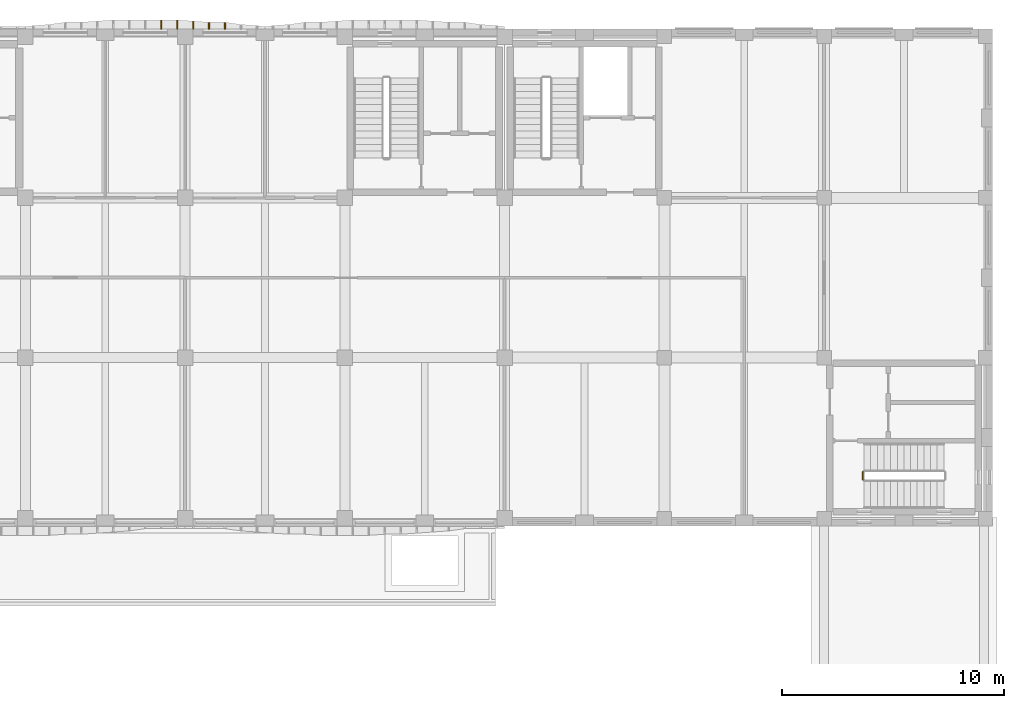
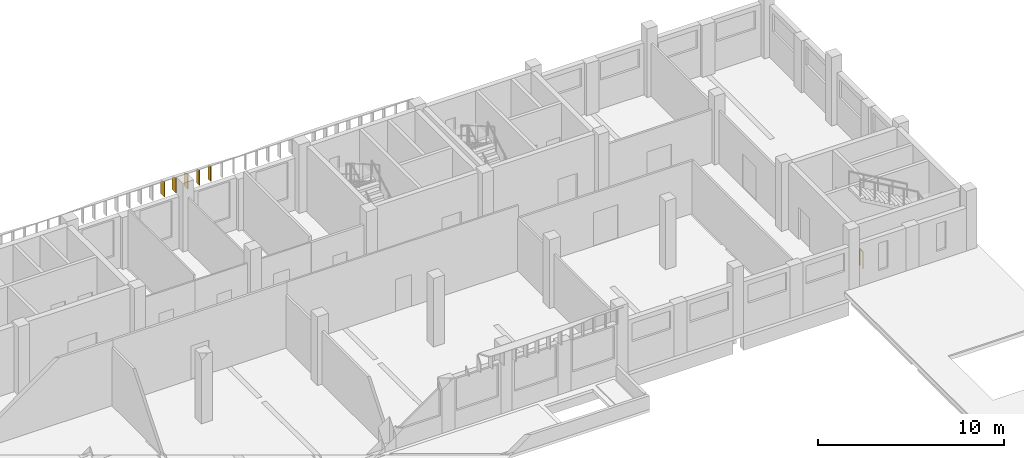
# One storey, part 54 of 59: 5 shading devices, 1 railing.
"""IFC4 building model written with IfcOpenShell, lengths in metres."""

from ifc_helpers import new_model, si_unit, direction, frame, origin, origin_2d, place, context, subcontext, project, spatial, polyline, circle, outline, extrude, material, layer, layer_set, type_object, element, save


model = new_model("IFC4")

# Units and contexts
model_context = context("Model", 3, precision=1e-05, world=origin(), true_north=direction((0.0, 1.0)))
body_context = subcontext(model_context, "Body", "Model", "MODEL_VIEW")
ifc_project = project(units=[si_unit("LENGTHUNIT", "METRE"), si_unit("AREAUNIT", "SQUARE_METRE"), si_unit("VOLUMEUNIT", "CUBIC_METRE"), si_unit("PLANEANGLEUNIT", "RADIAN"), si_unit("MASSUNIT", "GRAM", prefix="KILO")], contexts=[model_context])

# Site, building, storey
site_placement = place(None, origin())
site = spatial("IfcSite", under=ifc_project, at=site_placement, CompositionType="ELEMENT")
building_placement = place(site_placement, origin())
building = spatial("IfcBuilding", under=site, at=building_placement, Name="Ussher Court Research Institute", CompositionType="ELEMENT")
storey_placement = place(building_placement, frame((0.0, 0.0, 5.39990234375)))
storey = spatial("IfcBuildingStorey", under=building, at=storey_placement, Name="L01", CompositionType="ELEMENT", Elevation=5.39990234375)

# Shading devices
ifc_material_1 = material(Name="Bronze anodised aluminium", Category="aluminium")
ifc_layer_1 = layer(ifc_material_1, 0.050048828125)
ifc_layer_set_1 = layer_set([ifc_layer_1], Name="Bronze anodised aluminium")
shading_device_type_1 = type_object("IfcShadingDeviceType", Name="Brim blade 300 mm deep 1000 mm high canted 20 deg dry", PredefinedType="USERDEFINED", material=ifc_layer_set_1)
for number, where, z_axis, x_axis, name in (
    (1, (68.8798828125, 90.800048828125, 3.4501953125), (0.0, 0.0, 1.0), (0.0, 1.0, 0.0), "Brim blade BS13 L01"),
    (2, (69.60009765625, 90.800048828125, 3.4501953125), (0.0, 0.0, 1.0), (0.0, 1.0, 0.0), "Brim blade BS13 L01"),
):
    element("IfcShadingDevice", number, at=place(storey_placement, frame(where, z_axis=z_axis, x_axis=x_axis)), inside=storey, type_object=shading_device_type_1, Name=name, ObjectType="BLADE", PredefinedType="USERDEFINED", context=body_context, shape_type="SweptSolid", body=[
        extrude(outline(polyline([(0.0, 0.0), (0.300048828125, 0.0), (0.300048828125, 0.890625), (0.0, 1.0), (0.0, 0.0)])), frame((0.0, 0.02490234375, 0.0), z_axis=(0.0, -1.0, 0.0), x_axis=(1.0, 0.0, 0.0)), (0.0, 0.0, 1.0), 0.050048828125),
    ])
ifc_material_2 = material(Name="Bronze anodised aluminium", Category="aluminium")
ifc_layer_2 = layer(ifc_material_2, 0.050048828125)
ifc_layer_set_2 = layer_set([ifc_layer_2], Name="Bronze anodised aluminium")
shading_device_type_2 = type_object("IfcShadingDeviceType", Name="Brim blade 350 mm deep 1000 mm high canted 20 deg dry", PredefinedType="USERDEFINED", material=ifc_layer_set_2)
shading_device_placement = place(storey_placement, frame((68.159912109375, 90.800048828125, 3.4501953125), z_axis=(0.0, 0.0, 1.0), x_axis=(0.0, 1.0, 0.0)))
element("IfcShadingDevice", 3, at=shading_device_placement, inside=storey, type_object=shading_device_type_2, Name="Brim blade BS12 L01", ObjectType="BLADE", PredefinedType="USERDEFINED", context=body_context, shape_type="SweptSolid", body=[
    extrude(outline(polyline([(0.0, 0.0), (0.349853515625, 0.0), (0.35009765625, 0.87255859375), (0.0, 1.0), (0.0, 0.0)])), frame((0.0, 0.02490234375, 0.0), z_axis=(0.0, -1.0, 0.0), x_axis=(1.0, 0.0, 0.0)), (0.0, 0.0, 1.0), 0.050048828125),
])
ifc_material_3 = material(Name="Bronze anodised aluminium", Category="aluminium")
ifc_layer_3 = layer(ifc_material_3, 0.050048828125)
ifc_layer_set_3 = layer_set([ifc_layer_3], Name="Bronze anodised aluminium")
shading_device_type_3 = type_object("IfcShadingDeviceType", Name="Brim blade 400 mm deep 1000 mm high canted 20 deg dry", PredefinedType="USERDEFINED", material=ifc_layer_set_3)
for number, where, z_axis, x_axis, name in (
    (4, (66.719970703125, 90.800048828125, 3.4501953125), (0.0, 0.0, 1.0), (0.0, 1.0, 0.0), "Brim blade BS11 L01"),
    (5, (67.43994140625, 90.800048828125, 3.4501953125), (0.0, 0.0, 1.0), (0.0, 1.0, 0.0), "Brim blade BS11 L01"),
):
    element("IfcShadingDevice", number, at=place(storey_placement, frame(where, z_axis=z_axis, x_axis=x_axis)), inside=storey, type_object=shading_device_type_3, Name=name, ObjectType="BLADE", PredefinedType="USERDEFINED", context=body_context, shape_type="SweptSolid", body=[
        extrude(outline(polyline([(0.0, 0.0), (0.39990234375, 0.0), (0.39990234375, 0.854248046875), (0.0, 1.0), (0.0, 0.0)])), frame((0.0, 0.02490234375, 0.0), z_axis=(0.0, -1.0, 0.0), x_axis=(1.0, 0.0, 0.0)), (0.0, 0.0, 1.0), 0.050048828125),
    ])

# Railing
ifc_material_4 = material(Name="Painted steel balustrade", Category="steel")
railing_type = type_object("IfcRailingType", Name="Stair guard 1100 steel balustrade", PredefinedType="GUARDRAIL", material=ifc_material_4)
railing_placement = place(storey_placement, frame((98.35009765625, 70.5, 0.0)))
element("IfcRailing", 6, at=railing_placement, inside=storey, type_object=railing_type, Name="L01 C2 stair guard 4", PredefinedType="GUARDRAIL", context=body_context, shape_type="SweptSolid", body=[
    extrude(circle(Radius=0.02392578125, at=origin_2d()), frame((0.0, 0.0, 1.076171875), z_axis=(0.0, 1.0, 0.0), x_axis=(-1.0, 0.0, 0.0)), (0.0, 0.0, 1.0), 0.35009765625),
    extrude(circle(Radius=0.02099609375, at=origin_2d()), origin(), (0.0, 0.0, 1.0), 1.052001953125),
    extrude(circle(Radius=0.02099609375, at=origin_2d()), frame((0.0, 0.35009765625, 0.0)), (0.0, 0.0, 1.0), 1.052001953125),
])

save(model, "model.ifc")
